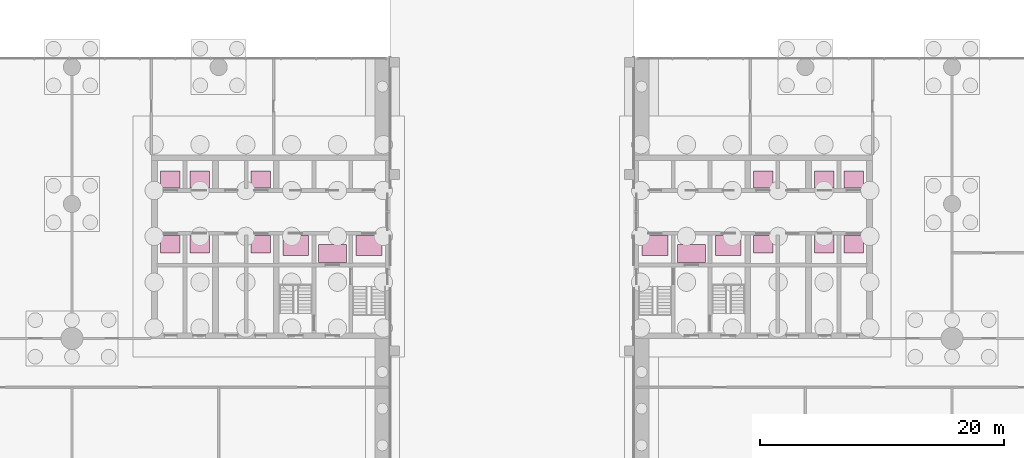
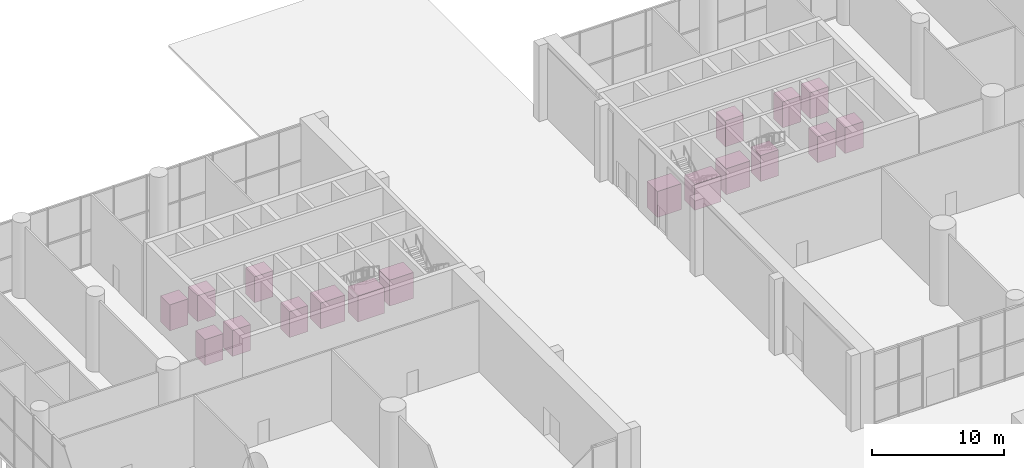
# One storey, part 25 of 26: 18 transport elements.
"""IFC4 building model written with IfcOpenShell, lengths in metres."""

import ifcopenshell
import ifcopenshell.guid

model = None  # the IFC model being written
_history = None  # IfcOwnerHistory: only IFC2X3 demands one
_inside = {}  # id of a spatial element -> (the spatial element, [elements in it])
_under = {}  # id of a project, library or spatial element -> (it, [spatial elements below it])
_declared = {}  # id of a project -> (the project, [libraries it declares])
_typed = {}  # id of a type object -> (the type object, [elements of that type])
_made_of = {}  # id of a material, layer set ... -> (it, [elements and type objects made of it])


def new_model(schema):
    """Start an empty IFC model of exactly this schema.

    Asked for "IFC4X3", IfcOpenShell would pick the latest addendum, in which some entities
    have other attributes; the version numbers below select the first issue.
    IFC2X3 requires an IfcOwnerHistory on every rooted entity: one is made here for all.
    """
    global model, _history
    if schema == "IFC4X3":
        model = ifcopenshell.file(schema_version=(4, 3, 0, 0))
    else:
        model = ifcopenshell.file(schema=schema)
    _inside.clear()
    _under.clear()
    _declared.clear()
    _typed.clear()
    _made_of.clear()
    _history = None
    if model.schema == "IFC2X3":
        org = make("IfcOrganization", Name="unknown")
        user = make(
            "IfcPersonAndOrganization",
            ThePerson=make("IfcPerson", FamilyName="unknown"),
            TheOrganization=org,
        )
        app = make(
            "IfcApplication",
            ApplicationDeveloper=org,
            Version="unknown",
            ApplicationFullName="unknown",
            ApplicationIdentifier="unknown",
        )
        _history = make(
            "IfcOwnerHistory",
            OwningUser=user,
            OwningApplication=app,
            ChangeAction="ADDED",
            CreationDate=0,
        )
    return model


def make(cls, **values):
    """One entity of the class cls with the attributes given. An attribute that is None is left unset."""
    return model.create_entity(
        cls, **{name: value for name, value in values.items() if value is not None}
    )


def rooted(cls, **values):
    """An entity with a GlobalId (a new one), such as an element, a storey or a relation."""
    return make(cls, GlobalId=ifcopenshell.guid.new(), OwnerHistory=_history, **values)


def si_unit(unit_type, name, prefix=None):
    """IfcSIUnit, for example si_unit("LENGTHUNIT", "METRE", prefix="MILLI")."""
    return make("IfcSIUnit", UnitType=unit_type, Prefix=prefix, Name=name)


def assignment(units):
    """IfcUnitAssignment: the units of a project."""
    return None if units is None else make("IfcUnitAssignment", Units=units)


def point(xyz):
    """IfcCartesianPoint."""
    return None if xyz is None else make("IfcCartesianPoint", Coordinates=xyz)


def direction(xyz):
    """IfcDirection."""
    return None if xyz is None else make("IfcDirection", DirectionRatios=xyz)


def frame(location, z_axis=None, x_axis=None):
    """IfcAxis2Placement3D, a coordinate frame: its origin and axes. An axis left out is left unset."""
    return make(
        "IfcAxis2Placement3D",
        Location=point(location),
        Axis=direction(z_axis),
        RefDirection=direction(x_axis),
    )


def frame_2d(location, x_axis=None):
    """IfcAxis2Placement2D, a coordinate frame in the plane: its origin and x axis."""
    return make(
        "IfcAxis2Placement2D", Location=point(location), RefDirection=direction(x_axis)
    )


def origin():
    """The frame at (0, 0, 0) with its axes left unset."""
    return frame((0.0, 0.0, 0.0))


def origin_2d():
    """The frame at (0, 0) in the plane with its x axis left unset."""
    return frame_2d((0.0, 0.0))


def place(relative_to, where):
    """IfcLocalPlacement: puts the frame where relative to a parent placement (None: the world)."""
    return make(
        "IfcLocalPlacement", PlacementRelTo=relative_to, RelativePlacement=where
    )


def context(
    kind, dimensions, precision=None, world=None, true_north=None, identifier=None
):
    """IfcGeometricRepresentationContext, for example the 3D "Model" context."""
    return make(
        "IfcGeometricRepresentationContext",
        ContextIdentifier=identifier,
        ContextType=kind,
        CoordinateSpaceDimension=dimensions,
        Precision=precision,
        WorldCoordinateSystem=world,
        TrueNorth=true_north,
    )


def subcontext(parent, identifier, kind, view, scale=None):
    """IfcGeometricRepresentationSubContext, for example "Body" below "Model"."""
    return make(
        "IfcGeometricRepresentationSubContext",
        ContextIdentifier=identifier,
        ContextType=kind,
        ParentContext=parent,
        TargetScale=scale,
        TargetView=view,
    )


def project(units=None, contexts=None):
    """IfcProject with its units and contexts."""
    return rooted(
        "IfcProject",
        Name="project",
        RepresentationContexts=contexts,
        UnitsInContext=assignment(units),
    )


def spatial(cls, under=None, at=None, **own):
    """A site, building, storey or space (cls), placed at a placement, below another one or the project."""
    s = rooted(cls, ObjectPlacement=at, **own)
    if under is not None:
        _under.setdefault(under.id(), (under, []))[1].append(s)
    return s


def profile(cls, at=None, kind="AREA", **sizes):
    """A parametric profile (cls). Its sizes go by their IFC names, for example OverallWidth=200.0."""
    return make(cls, ProfileType=kind, Position=at, **sizes)


def rectangle(**sizes):
    """IfcRectangleProfileDef."""
    return profile("IfcRectangleProfileDef", **sizes)


def extrude(swept, where, along, depth):
    """IfcExtrudedAreaSolid: the profile swept, set in the frame where, extruded along a direction by depth."""
    return make(
        "IfcExtrudedAreaSolid",
        SweptArea=swept,
        Position=where,
        ExtrudedDirection=direction(along),
        Depth=depth,
    )


def shape(context_of_items, identifier, shape_type, items):
    """IfcShapeRepresentation: the items that make up one representation, for example the "Body"."""
    return make(
        "IfcShapeRepresentation",
        ContextOfItems=context_of_items,
        RepresentationIdentifier=identifier,
        RepresentationType=shape_type,
        Items=items,
    )


def material(Name=None, Category=None):
    """IfcMaterial."""
    return make("IfcMaterial", Name=Name, Category=Category)


def made_of(thing, what):
    """Note that an element or type object is made of a material, layer set ...; save() writes the relation."""
    if what is not None:
        _made_of.setdefault(what.id(), (what, []))[1].append(thing)
    return thing


def type_object(cls, material=None, **own):
    """A type object (cls), such as IfcWallType, which elements share."""
    return made_of(rooted(cls, **own), material)


def element(
    cls,
    number,
    at=None,
    inside=None,
    cuts=None,
    type_object=None,
    material=None,
    context=None,
    identifier="Body",
    shape_type=None,
    held_by="IfcProductDefinitionShape",
    body=None,
    shapes=None,
    **own,
):
    """One element of the class cls, such as IfcWall. Its Tag is "e" and its number.

    at: its placement. inside: the storey or other place that contains it. cuts: it is an
    opening in that element (IfcRelVoidsElement). A single representation is given by context,
    identifier, shape_type and body (its items); several are given by shapes. held_by: the class
    of the entity that holds the representations. save() writes the other relations.
    """
    e = rooted(cls, Tag="e%d" % number, ObjectPlacement=at, **own)
    if body is not None:
        shapes = [shape(context, identifier, shape_type, body)]
    if shapes is not None:
        e.Representation = make(held_by, Representations=shapes)
    if inside is not None:
        _inside.setdefault(inside.id(), (inside, []))[1].append(e)
    if cuts is not None:
        rooted(
            "IfcRelVoidsElement", RelatingBuildingElement=cuts, RelatedOpeningElement=e
        )
    if type_object is not None:
        _typed.setdefault(type_object.id(), (type_object, []))[1].append(e)
    return made_of(e, material)


def aggregate(whole, parts):
    """IfcRelAggregates: a whole, such as a stair, and the parts it consists of."""
    return rooted("IfcRelAggregates", RelatingObject=whole, RelatedObjects=parts)


def save(model, path):
    """Write the relations noted so far, then the file.

    IfcRelAggregates (storeys below a building ...), IfcRelContainedInSpatialStructure (elements
    in a storey), IfcRelDefinesByType, IfcRelAssociatesMaterial and IfcRelDeclares: one each for
    every whole, place, type object, material and project.
    """
    for whole, parts in _under.values():
        aggregate(whole, parts)
    for where, things in _inside.values():
        rooted(
            "IfcRelContainedInSpatialStructure",
            RelatedElements=things,
            RelatingStructure=where,
        )
    for kind, things in _typed.values():
        rooted("IfcRelDefinesByType", RelatedObjects=things, RelatingType=kind)
    for what, things in _made_of.values():
        rooted("IfcRelAssociatesMaterial", RelatedObjects=things, RelatingMaterial=what)
    for by, libraries in _declared.values():
        rooted("IfcRelDeclares", RelatingContext=by, RelatedDefinitions=libraries)
    model.write(path)


model = new_model("IFC4")

# Units and contexts
model_context = context("Model", 3, precision=1e-05, world=origin(), true_north=direction((0.0, 1.0)))
body_context = subcontext(model_context, "Body", "Model", "MODEL_VIEW")
ifc_project = project(units=[si_unit("LENGTHUNIT", "METRE"), si_unit("AREAUNIT", "SQUARE_METRE"), si_unit("VOLUMEUNIT", "CUBIC_METRE"), si_unit("PLANEANGLEUNIT", "RADIAN"), si_unit("MASSUNIT", "GRAM", prefix="KILO")], contexts=[model_context])

# Site, building, storey
site_placement = place(None, origin())
site = spatial("IfcSite", under=ifc_project, at=site_placement, CompositionType="ELEMENT")
building_placement = place(site_placement, origin())
building = spatial("IfcBuilding", under=site, at=building_placement, Name="Torana Hotel and Residences", CompositionType="ELEMENT")
storey_placement = place(building_placement, origin())
storey = spatial("IfcBuildingStorey", under=building, at=storey_placement, Name="L00", CompositionType="ELEMENT", Elevation=0.0)

# Transport elements
ifc_material_1 = material(Name="Stainless steel 316", Category="steel")
transport_element_type_1 = type_object("IfcTransportElementType", Name="FIRE-FIGHTING LIFT CAR 2300x1500", PredefinedType="ELEVATOR", material=ifc_material_1)
for number, where, z_axis, x_axis, name in (
    (1, (-14.699951171875, -8.050048828125, 0.0), (0.0, 0.0, 1.0), (1.0, 0.0, 0.0), "Fire-fighting lift FF1"),
    (2, (14.699951171875, -8.050048828125, 0.0), (0.0, 0.0, 1.0), (1.0, 0.0, 0.0), "Fire-fighting lift FF2"),
):
    element("IfcTransportElement", number, at=place(storey_placement, frame(where, z_axis=z_axis, x_axis=x_axis)), inside=storey, type_object=transport_element_type_1, Name=name, PredefinedType="ELEVATOR", context=body_context, shape_type="SweptSolid", body=[
        extrude(rectangle(XDim=2.300048828125, YDim=1.5, at=origin_2d()), origin(), (0.0, 0.0, 1.0), 2.39990234375),
    ])
ifc_material_2 = material(Name="Stainless steel 316", Category="steel")
transport_element_type_2 = type_object("IfcTransportElementType", Name="PASSENGER LIFT CAR 1600x1400", PredefinedType="ELEVATOR", material=ifc_material_2)
for number, where, z_axis, x_axis, name in (
    (3, (-25.550048828125, -2.0, 0.0), (0.0, 0.0, 1.0), (1.0, 0.0, 0.0), "Passenger lift L1"),
    (4, (-27.949951171875, -2.0, 0.0), (0.0, 0.0, 1.0), (1.0, 0.0, 0.0), "Passenger lift L2"),
    (5, (-25.550048828125, -7.300048828125, 0.0), (0.0, 0.0, 1.0), (1.0, 0.0, 0.0), "Passenger lift L3"),
    (6, (-27.949951171875, -7.300048828125, 0.0), (0.0, 0.0, 1.0), (1.0, 0.0, 0.0), "Passenger lift L4"),
    (7, (-20.550048828125, -2.0, 0.0), (0.0, 0.0, 1.0), (1.0, 0.0, 0.0), "Shuttle lift S1 to sky lobby 1"),
    (8, (-20.550048828125, -7.300048828125, 0.0), (0.0, 0.0, 1.0), (1.0, 0.0, 0.0), "Express shuttle lift S3 to sky lobby 3"),
    (9, (25.550048828125, -2.0, 0.0), (0.0, 0.0, 1.0), (1.0, 0.0, 0.0), "Passenger lift L5"),
    (10, (27.949951171875, -2.0, 0.0), (0.0, 0.0, 1.0), (1.0, 0.0, 0.0), "Passenger lift L6"),
    (11, (25.550048828125, -7.300048828125, 0.0), (0.0, 0.0, 1.0), (1.0, 0.0, 0.0), "Passenger lift L7"),
    (12, (27.949951171875, -7.300048828125, 0.0), (0.0, 0.0, 1.0), (1.0, 0.0, 0.0), "Passenger lift L8"),
    (13, (20.550048828125, -2.0, 0.0), (0.0, 0.0, 1.0), (1.0, 0.0, 0.0), "Shuttle lift S2 to sky lobby 1"),
    (14, (20.550048828125, -7.300048828125, 0.0), (0.0, 0.0, 1.0), (1.0, 0.0, 0.0), "Express shuttle lift S4 to sky lobby 3"),
):
    element("IfcTransportElement", number, at=place(storey_placement, frame(where, z_axis=z_axis, x_axis=x_axis)), inside=storey, type_object=transport_element_type_2, Name=name, PredefinedType="ELEVATOR", context=body_context, shape_type="SweptSolid", body=[
        extrude(rectangle(XDim=1.60009765625, YDim=1.39990234375, at=origin_2d()), origin(), (0.0, 0.0, 1.0), 2.39990234375),
    ])
ifc_material_3 = material(Name="Stainless steel 316", Category="steel")
transport_element_type_3 = type_object("IfcTransportElementType", Name="PASSENGER LIFT CAR 2100x1600", PredefinedType="ELEVATOR", material=ifc_material_3)
for number, where, z_axis, x_axis, name in (
    (15, (-11.699951171875, -7.39990234375, 0.0), (0.0, 0.0, 1.0), (1.0, 0.0, 0.0), "Observation express X1"),
    (16, (11.699951171875, -7.39990234375, 0.0), (0.0, 0.0, 1.0), (1.0, 0.0, 0.0), "Observation express X2"),
):
    element("IfcTransportElement", number, at=place(storey_placement, frame(where, z_axis=z_axis, x_axis=x_axis)), inside=storey, type_object=transport_element_type_3, Name=name, PredefinedType="ELEVATOR", context=body_context, shape_type="SweptSolid", body=[
        extrude(rectangle(XDim=2.10009765625, YDim=1.60009765625, at=origin_2d()), origin(), (0.0, 0.0, 1.0), 2.39990234375),
    ])
ifc_material_4 = material(Name="Stainless steel 316", Category="steel")
transport_element_type_4 = type_object("IfcTransportElementType", Name="SERVICE LIFT CAR 2100x1600", PredefinedType="ELEVATOR", material=ifc_material_4)
for number, where, z_axis, x_axis, name in (
    (17, (-17.699951171875, -7.39990234375, 0.0), (0.0, 0.0, 1.0), (1.0, 0.0, 0.0), "Service lift SV1"),
    (18, (17.699951171875, -7.39990234375, 0.0), (0.0, 0.0, 1.0), (1.0, 0.0, 0.0), "Service lift SV2"),
):
    element("IfcTransportElement", number, at=place(storey_placement, frame(where, z_axis=z_axis, x_axis=x_axis)), inside=storey, type_object=transport_element_type_4, Name=name, PredefinedType="ELEVATOR", context=body_context, shape_type="SweptSolid", body=[
        extrude(rectangle(XDim=2.10009765625, YDim=1.60009765625, at=origin_2d()), origin(), (0.0, 0.0, 1.0), 2.39990234375),
    ])

save(model, "model.ifc")
